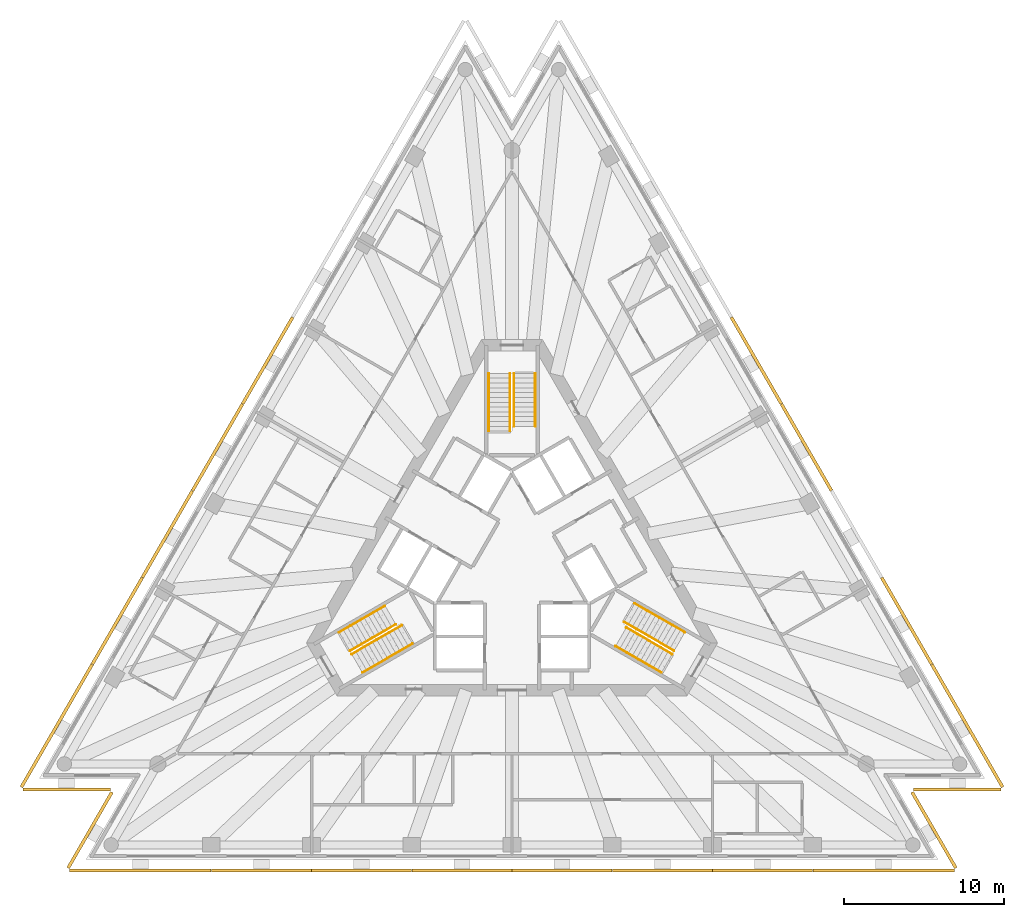
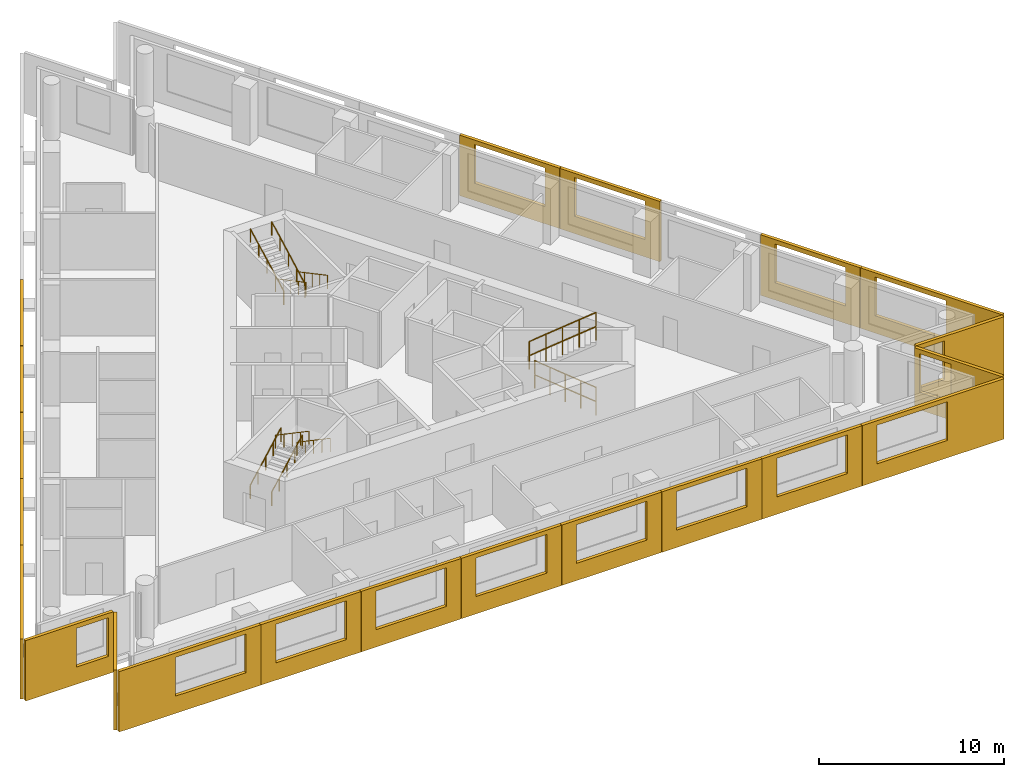
# One storey, part 9 of 10: 21 shading devices, 12 railings, 3 elements without a shape of their own.
"""IFC4 building model written with IfcOpenShell, lengths in metres."""

from ifc_helpers import new_model, si_unit, direction, frame, origin, origin_2d, place, context, subcontext, project, spatial, polyline, circle, outline, extrude, material, layer, layer_set, type_object, element, aggregate, save


model = new_model("IFC4")

# Units and contexts
model_context = context("Model", 3, precision=1e-05, world=origin(), true_north=direction((0.0, 1.0)))
body_context = subcontext(model_context, "Body", "Model", "MODEL_VIEW")
ifc_project = project(units=[si_unit("LENGTHUNIT", "METRE"), si_unit("AREAUNIT", "SQUARE_METRE"), si_unit("VOLUMEUNIT", "CUBIC_METRE"), si_unit("PLANEANGLEUNIT", "RADIAN"), si_unit("MASSUNIT", "GRAM", prefix="KILO")], contexts=[model_context])

# Site, building, storey
site_placement = place(None, origin())
site = spatial("IfcSite", under=ifc_project, at=site_placement, CompositionType="ELEMENT")
building_placement = place(site_placement, origin())
building = spatial("IfcBuilding", under=site, at=building_placement, Name="Triada Interchange Tower", CompositionType="ELEMENT")
storey_placement = place(building_placement, frame((0.0, 0.0, 195.300048828125)))
storey = spatial("IfcBuildingStorey", under=building, at=storey_placement, Name="L45", CompositionType="ELEMENT", Elevation=195.300048828125)

# Shading devices
ifc_material_1 = material(Name="Concrete C50/60 precast", Category="concrete")
ifc_layer_1 = layer(ifc_material_1, 0.02001953125, Name="Exposed aggregate face")
ifc_layer_2 = layer(ifc_material_1, 0.179931640625, Name="Precast concrete screen")
ifc_layer_set = layer_set([ifc_layer_1, ifc_layer_2], Name="Outer skin screen panel 3980")
shading_device_type = type_object("IfcShadingDeviceType", Name="Outer skin screen panel 3980", PredefinedType="SHUTTER", material=ifc_layer_set)
shading_device_1_placement = place(storey_placement, frame((-13.590087890625, 15.050048828125, -0.2900390625), z_axis=(0.0, 0.0, 1.0), x_axis=(-0.50008886669, -0.865974090497, 0.0)))
element("IfcShadingDevice", 1, at=shading_device_1_placement, inside=storey, type_object=shading_device_type, Name="Outer skin screen panel L45 04", PredefinedType="SHUTTER", context=body_context, shape_type="SweptSolid", body=[
    extrude(outline(polyline([(0.0, 0.0), (6.228759765625, 0.0), (6.228759765625, 3.97998046875), (0.0, 3.97998046875), (0.0, 0.0)]), holes=[polyline([(0.913818359375, 1.139892578125), (0.913818359375, 3.68994140625), (5.313720703125, 3.68994140625), (5.313720703125, 1.139892578125), (0.913818359375, 1.139892578125)])]), frame((0.0, 0.0, 0.0), z_axis=(0.0, -1.0, 0.0), x_axis=(1.0, 0.0, 0.0)), (0.0, 0.0, 1.0), 0.199951171875),
])
shading_device_2_placement = place(storey_placement, frame((-16.715087890625, 9.638916015625, -0.2900390625), z_axis=(0.0, 0.0, 1.0), x_axis=(-0.499988254918, -0.866032184704, 0.0)))
element("IfcShadingDevice", 2, at=shading_device_2_placement, inside=storey, type_object=shading_device_type, Name="Outer skin screen panel L45 05", PredefinedType="SHUTTER", context=body_context, shape_type="SweptSolid", body=[
    extrude(outline(polyline([(0.0, 0.0), (6.228271484375, 0.0), (6.228271484375, 3.97998046875), (0.0, 3.97998046875), (0.0, 0.0)]), holes=[polyline([(0.91357421875, 1.139892578125), (0.91357421875, 3.68994140625), (5.313720703125, 3.68994140625), (5.313720703125, 1.139892578125), (0.91357421875, 1.139892578125)])]), frame((0.0, 0.0, 0.0), z_axis=(0.0, -1.0, 0.0), x_axis=(1.0, 0.0, 0.0)), (0.0, 0.0, 1.0), 0.199951171875),
])
shading_device_3_placement = place(storey_placement, frame((-19.839111328125, 4.22802734375, -0.2900390625), z_axis=(0.0, 0.0, 1.0), x_axis=(-0.499941881293, -0.866058956036, 0.0)))
element("IfcShadingDevice", 3, at=shading_device_3_placement, inside=storey, type_object=shading_device_type, Name="Outer skin screen panel L45 06", PredefinedType="SHUTTER", context=body_context, shape_type="SweptSolid", body=[
    extrude(outline(polyline([(0.0, 0.0), (6.228271484375, 0.0), (6.228271484375, 3.97998046875), (0.0, 3.97998046875), (0.0, 0.0)]), holes=[polyline([(0.914306640625, 1.139892578125), (0.914306640625, 3.68994140625), (5.314208984375, 3.68994140625), (5.314208984375, 1.139892578125), (0.914306640625, 1.139892578125)])]), frame((0.0, 0.0, 0.0), z_axis=(0.0, -1.0, 0.0), x_axis=(1.0, 0.0, 0.0)), (0.0, 0.0, 1.0), 0.199951171875),
])
shading_device_4_placement = place(storey_placement, frame((-22.962890625, -1.18310546875, -0.2900390625), z_axis=(0.0, 0.0, 1.0), x_axis=(-0.499988254918, -0.866032184704, 0.0)))
element("IfcShadingDevice", 4, at=shading_device_4_placement, inside=storey, type_object=shading_device_type, Name="Outer skin screen panel L45 07", PredefinedType="SHUTTER", context=body_context, shape_type="SweptSolid", body=[
    extrude(outline(polyline([(0.0, 0.0), (6.228271484375, 0.0), (6.228271484375, 3.97998046875), (0.0, 3.97998046875), (0.0, 0.0)]), holes=[polyline([(0.9140625, 1.139892578125), (0.9140625, 3.68994140625), (5.314208984375, 3.68994140625), (5.314208984375, 1.139892578125), (0.9140625, 1.139892578125)])]), frame((0.0, 0.0, 0.0), z_axis=(0.0, -1.0, 0.0), x_axis=(1.0, 0.0, 0.0)), (0.0, 0.0, 1.0), 0.199951171875),
])
shading_device_5_placement = place(storey_placement, frame((-26.0869140625, -6.593994140625, -0.2900390625), z_axis=(0.0, 0.0, 1.0), x_axis=(-0.499982637805, -0.86603542762, 0.0)))
element("IfcShadingDevice", 5, at=shading_device_5_placement, inside=storey, type_object=shading_device_type, Name="Outer skin screen panel L45 08", PredefinedType="SHUTTER", context=body_context, shape_type="SweptSolid", body=[
    extrude(outline(polyline([(0.0, 0.0), (8.826416015625, 0.0), (8.826416015625, 3.97998046875), (0.0, 3.97998046875), (0.0, 0.0)]), holes=[polyline([(0.913818359375, 1.139892578125), (0.913818359375, 3.68994140625), (5.31396484375, 3.68994140625), (5.31396484375, 1.139892578125), (0.913818359375, 1.139892578125)])]), frame((0.0, 0.0, 0.0), z_axis=(0.0, -1.0, 0.0), x_axis=(1.0, 0.0, 0.0)), (0.0, 0.0, 1.0), 0.199951171875),
])
shading_device_6_placement = place(storey_placement, frame((-30.4951171875, -14.2470703125, -0.2900390625), z_axis=(0.0, 0.0, 1.0), x_axis=(1.0, 0.0, 0.0)))
element("IfcShadingDevice", 6, at=shading_device_6_placement, inside=storey, type_object=shading_device_type, Name="Outer skin screen panel L45 09", PredefinedType="SHUTTER", context=body_context, shape_type="SweptSolid", body=[
    extrude(outline(polyline([(0.0, 0.0), (5.461181640625, 0.0), (5.461181640625, 3.97998046875), (0.0, 3.97998046875), (0.0, 0.0)]), holes=[polyline([(3.175048828125, 1.139892578125), (3.175048828125, 3.68994140625), (5.160888671875, 3.68994140625), (5.160888671875, 1.139892578125), (3.175048828125, 1.139892578125)])]), frame((0.0, 0.0, 0.0), z_axis=(0.0, -1.0, 0.0), x_axis=(1.0, 0.0, 0.0)), (0.0, 0.0, 1.0), 0.199951171875),
])
shading_device_7_placement = place(storey_placement, frame((-24.85498046875, -14.555908203125, -0.2900390625), z_axis=(0.0, 0.0, 1.0), x_axis=(-0.500013942463, -0.86601735395, 0.0)))
element("IfcShadingDevice", 7, at=shading_device_7_placement, inside=storey, type_object=shading_device_type, Name="Outer skin screen panel L45 10", PredefinedType="SHUTTER", context=body_context, shape_type="SweptSolid", body=[
    extrude(outline(polyline([(0.0, 0.0), (5.461669921875, 0.0), (5.461669921875, 3.97998046875), (0.0, 3.97998046875), (0.0, 0.0)]), holes=[polyline([(0.300048828125, 1.139892578125), (0.300048828125, 3.68994140625), (1.758056640625, 3.68994140625), (1.758056640625, 1.139892578125), (0.300048828125, 1.139892578125)])]), frame((0.0, 0.0, 0.0), z_axis=(0.0, -1.0, 0.0), x_axis=(1.0, 0.0, 0.0)), (0.0, 0.0, 1.0), 0.199951171875),
])
shading_device_8_placement = place(storey_placement, frame((-27.5810546875, -19.294921875, -0.2900390625), z_axis=(0.0, 0.0, 1.0), x_axis=(1.0, 0.0, 0.0)))
element("IfcShadingDevice", 8, at=shading_device_8_placement, inside=storey, type_object=shading_device_type, Name="Outer skin screen panel L45 11", PredefinedType="SHUTTER", context=body_context, shape_type="SweptSolid", body=[
    extrude(outline(polyline([(0.0, 0.0), (8.826171875, 0.0), (8.826171875, 3.97998046875), (0.0, 3.97998046875), (0.0, 0.0)]), holes=[polyline([(3.511962890625, 1.139892578125), (3.511962890625, 3.68994140625), (7.912109375, 3.68994140625), (7.912109375, 1.139892578125), (3.511962890625, 1.139892578125)])]), frame((0.0, 0.0, 0.0), z_axis=(0.0, -1.0, 0.0), x_axis=(1.0, 0.0, 0.0)), (0.0, 0.0, 1.0), 0.199951171875),
])
shading_device_9_placement = place(storey_placement, frame((-18.735107421875, -19.294921875, -0.2900390625), z_axis=(0.0, 0.0, 1.0), x_axis=(1.0, 0.0, 0.0)))
element("IfcShadingDevice", 9, at=shading_device_9_placement, inside=storey, type_object=shading_device_type, Name="Outer skin screen panel L45 12", PredefinedType="SHUTTER", context=body_context, shape_type="SweptSolid", body=[
    extrude(outline(polyline([(0.0, 0.0), (6.22900390625, 0.0), (6.22900390625, 3.97998046875), (0.0, 3.97998046875), (0.0, 0.0)]), holes=[polyline([(0.913818359375, 1.139892578125), (0.913818359375, 3.68994140625), (5.313720703125, 3.68994140625), (5.313720703125, 1.139892578125), (0.913818359375, 1.139892578125)])]), frame((0.0, 0.0, 0.0), z_axis=(0.0, -1.0, 0.0), x_axis=(1.0, 0.0, 0.0)), (0.0, 0.0, 1.0), 0.199951171875),
])
shading_device_10_placement = place(storey_placement, frame((-12.486083984375, -19.294921875, -0.2900390625), z_axis=(0.0, 0.0, 1.0), x_axis=(1.0, 0.0, 0.0)))
element("IfcShadingDevice", 10, at=shading_device_10_placement, inside=storey, type_object=shading_device_type, Name="Outer skin screen panel L45 13", PredefinedType="SHUTTER", context=body_context, shape_type="SweptSolid", body=[
    extrude(outline(polyline([(0.0, 0.0), (6.22802734375, 0.0), (6.22802734375, 3.97998046875), (0.0, 3.97998046875), (0.0, 0.0)]), holes=[polyline([(0.91455078125, 1.139892578125), (0.91455078125, 3.68994140625), (5.314453125, 3.68994140625), (5.314453125, 1.139892578125), (0.91455078125, 1.139892578125)])]), frame((0.0, 0.0, 0.0), z_axis=(0.0, -1.0, 0.0), x_axis=(1.0, 0.0, 0.0)), (0.0, 0.0, 1.0), 0.199951171875),
])
shading_device_11_placement = place(storey_placement, frame((-6.238037109375, -19.294921875, -0.2900390625), z_axis=(0.0, 0.0, 1.0), x_axis=(1.0, 0.0, 0.0)))
element("IfcShadingDevice", 11, at=shading_device_11_placement, inside=storey, type_object=shading_device_type, Name="Outer skin screen panel L45 14", PredefinedType="SHUTTER", context=body_context, shape_type="SweptSolid", body=[
    extrude(outline(polyline([(0.0, 0.0), (6.22802734375, 0.0), (6.22802734375, 3.97998046875), (0.0, 3.97998046875), (0.0, 0.0)]), holes=[polyline([(0.914306640625, 1.139892578125), (0.914306640625, 3.68994140625), (5.314208984375, 3.68994140625), (5.314208984375, 1.139892578125), (0.914306640625, 1.139892578125)])]), frame((0.0, 0.0, 0.0), z_axis=(0.0, -1.0, 0.0), x_axis=(1.0, 0.0, 0.0)), (0.0, 0.0, 1.0), 0.199951171875),
])
shading_device_12_placement = place(storey_placement, frame((0.010009765625, -19.294921875, -0.2900390625), z_axis=(0.0, 0.0, 1.0), x_axis=(1.0, 0.0, 0.0)))
element("IfcShadingDevice", 12, at=shading_device_12_placement, inside=storey, type_object=shading_device_type, Name="Outer skin screen panel L45 15", PredefinedType="SHUTTER", context=body_context, shape_type="SweptSolid", body=[
    extrude(outline(polyline([(0.0, 0.0), (6.22802734375, 0.0), (6.22802734375, 3.97998046875), (0.0, 3.97998046875), (0.0, 0.0)]), holes=[polyline([(0.9140625, 1.139892578125), (0.9140625, 3.68994140625), (5.31396484375, 3.68994140625), (5.31396484375, 1.139892578125), (0.9140625, 1.139892578125)])]), frame((0.0, 0.0, 0.0), z_axis=(0.0, -1.0, 0.0), x_axis=(1.0, 0.0, 0.0)), (0.0, 0.0, 1.0), 0.199951171875),
])
shading_device_13_placement = place(storey_placement, frame((6.258056640625, -19.294921875, -0.2900390625), z_axis=(0.0, 0.0, 1.0), x_axis=(1.0, 0.0, 0.0)))
element("IfcShadingDevice", 13, at=shading_device_13_placement, inside=storey, type_object=shading_device_type, Name="Outer skin screen panel L45 16", PredefinedType="SHUTTER", context=body_context, shape_type="SweptSolid", body=[
    extrude(outline(polyline([(0.0, 0.0), (6.22900390625, 0.0), (6.22900390625, 3.97998046875), (0.0, 3.97998046875), (0.0, 0.0)]), holes=[polyline([(0.913818359375, 1.139892578125), (0.913818359375, 3.68994140625), (5.313720703125, 3.68994140625), (5.313720703125, 1.139892578125), (0.913818359375, 1.139892578125)])]), frame((0.0, 0.0, 0.0), z_axis=(0.0, -1.0, 0.0), x_axis=(1.0, 0.0, 0.0)), (0.0, 0.0, 1.0), 0.199951171875),
])
shading_device_14_placement = place(storey_placement, frame((12.507080078125, -19.294921875, -0.2900390625), z_axis=(0.0, 0.0, 1.0), x_axis=(1.0, 0.0, 0.0)))
element("IfcShadingDevice", 14, at=shading_device_14_placement, inside=storey, type_object=shading_device_type, Name="Outer skin screen panel L45 17", PredefinedType="SHUTTER", context=body_context, shape_type="SweptSolid", body=[
    extrude(outline(polyline([(0.0, 0.0), (6.22802734375, 0.0), (6.22802734375, 3.97998046875), (0.0, 3.97998046875), (0.0, 0.0)]), holes=[polyline([(0.91455078125, 1.139892578125), (0.91455078125, 3.68994140625), (5.314453125, 3.68994140625), (5.314453125, 1.139892578125), (0.91455078125, 1.139892578125)])]), frame((0.0, 0.0, 0.0), z_axis=(0.0, -1.0, 0.0), x_axis=(1.0, 0.0, 0.0)), (0.0, 0.0, 1.0), 0.199951171875),
])
shading_device_15_placement = place(storey_placement, frame((18.7548828125, -19.294921875, -0.2900390625), z_axis=(0.0, 0.0, 1.0), x_axis=(1.0, 0.0, 0.0)))
element("IfcShadingDevice", 15, at=shading_device_15_placement, inside=storey, type_object=shading_device_type, Name="Outer skin screen panel L45 18", PredefinedType="SHUTTER", context=body_context, shape_type="SweptSolid", body=[
    extrude(outline(polyline([(0.0, 0.0), (8.826171875, 0.0), (8.826171875, 3.97998046875), (0.0, 3.97998046875), (0.0, 0.0)]), holes=[polyline([(0.914306640625, 1.139892578125), (0.914306640625, 3.68994140625), (5.314208984375, 3.68994140625), (5.314208984375, 1.139892578125), (0.914306640625, 1.139892578125)])]), frame((0.0, 0.0, 0.0), z_axis=(0.0, -1.0, 0.0), x_axis=(1.0, 0.0, 0.0)), (0.0, 0.0, 1.0), 0.199951171875),
])
shading_device_16_placement = place(storey_placement, frame((27.5859375, -19.285888671875, -0.2900390625), z_axis=(0.0, 0.0, 1.0), x_axis=(-0.500013942463, 0.86601735395, 0.0)))
element("IfcShadingDevice", 16, at=shading_device_16_placement, inside=storey, type_object=shading_device_type, Name="Outer skin screen panel L45 19", PredefinedType="SHUTTER", context=body_context, shape_type="SweptSolid", body=[
    extrude(outline(polyline([(0.0, 0.0), (5.461669921875, 0.0), (5.461669921875, 3.97998046875), (0.0, 3.97998046875), (0.0, 0.0)]), holes=[polyline([(3.17529296875, 1.139892578125), (3.17529296875, 3.68994140625), (5.162109375, 3.68994140625), (5.162109375, 1.139892578125), (3.17529296875, 1.139892578125)])]), frame((0.0, 0.0, 0.0), z_axis=(0.0, -1.0, 0.0), x_axis=(1.0, 0.0, 0.0)), (0.0, 0.0, 1.0), 0.199951171875),
])
shading_device_17_placement = place(storey_placement, frame((25.033935546875, -14.2470703125, -0.2900390625), z_axis=(0.0, 0.0, 1.0), x_axis=(1.0, 0.0, 0.0)))
element("IfcShadingDevice", 17, at=shading_device_17_placement, inside=storey, type_object=shading_device_type, Name="Outer skin screen panel L45 20", PredefinedType="SHUTTER", context=body_context, shape_type="SweptSolid", body=[
    extrude(outline(polyline([(0.0, 0.0), (5.461181640625, 0.0), (5.461181640625, 3.97998046875), (0.0, 3.97998046875), (0.0, 0.0)]), holes=[polyline([(0.300048828125, 1.139892578125), (0.300048828125, 3.68994140625), (1.758056640625, 3.68994140625), (1.758056640625, 1.139892578125), (0.300048828125, 1.139892578125)])]), frame((0.0, 0.0, 0.0), z_axis=(0.0, -1.0, 0.0), x_axis=(1.0, 0.0, 0.0)), (0.0, 0.0, 1.0), 0.199951171875),
])
shading_device_18_placement = place(storey_placement, frame((30.5, -14.238037109375, -0.2900390625), z_axis=(0.0, 0.0, 1.0), x_axis=(-0.499982637805, 0.86603542762, 0.0)))
element("IfcShadingDevice", 18, at=shading_device_18_placement, inside=storey, type_object=shading_device_type, Name="Outer skin screen panel L45 21", PredefinedType="SHUTTER", context=body_context, shape_type="SweptSolid", body=[
    extrude(outline(polyline([(0.0, 0.0), (8.826416015625, 0.0), (8.826416015625, 3.97998046875), (0.0, 3.97998046875), (0.0, 0.0)]), holes=[polyline([(3.51220703125, 1.139892578125), (3.51220703125, 3.68994140625), (7.912353515625, 3.68994140625), (7.912353515625, 1.139892578125), (3.51220703125, 1.139892578125)])]), frame((0.0, 0.0, 0.0), z_axis=(0.0, -1.0, 0.0), x_axis=(1.0, 0.0, 0.0)), (0.0, 0.0, 1.0), 0.199951171875),
])
shading_device_19_placement = place(storey_placement, frame((26.076904296875, -6.576904296875, -0.2900390625), z_axis=(0.0, 0.0, 1.0), x_axis=(-0.499988254918, 0.866032184704, 0.0)))
element("IfcShadingDevice", 19, at=shading_device_19_placement, inside=storey, type_object=shading_device_type, Name="Outer skin screen panel L45 22", PredefinedType="SHUTTER", context=body_context, shape_type="SweptSolid", body=[
    extrude(outline(polyline([(0.0, 0.0), (6.228271484375, 0.0), (6.228271484375, 3.97998046875), (0.0, 3.97998046875), (0.0, 0.0)]), holes=[polyline([(0.9140625, 1.139892578125), (0.9140625, 3.68994140625), (5.31396484375, 3.68994140625), (5.31396484375, 1.139892578125), (0.9140625, 1.139892578125)])]), frame((0.0, 0.0, 0.0), z_axis=(0.0, -1.0, 0.0), x_axis=(1.0, 0.0, 0.0)), (0.0, 0.0, 1.0), 0.199951171875),
])
shading_device_20_placement = place(storey_placement, frame((19.8291015625, 4.2451171875, -0.2900390625), z_axis=(0.0, 0.0, 1.0), x_axis=(-0.499988254918, 0.866032184704, 0.0)))
element("IfcShadingDevice", 20, at=shading_device_20_placement, inside=storey, type_object=shading_device_type, Name="Outer skin screen panel L45 24", PredefinedType="SHUTTER", context=body_context, shape_type="SweptSolid", body=[
    extrude(outline(polyline([(0.0, 0.0), (6.228271484375, 0.0), (6.228271484375, 3.97998046875), (0.0, 3.97998046875), (0.0, 0.0)]), holes=[polyline([(0.91455078125, 1.139892578125), (0.91455078125, 3.68994140625), (5.314453125, 3.68994140625), (5.314453125, 1.139892578125), (0.91455078125, 1.139892578125)])]), frame((0.0, 0.0, 0.0), z_axis=(0.0, -1.0, 0.0), x_axis=(1.0, 0.0, 0.0)), (0.0, 0.0, 1.0), 0.199951171875),
])
shading_device_21_placement = place(storey_placement, frame((16.705078125, 9.656005859375, -0.2900390625), z_axis=(0.0, 0.0, 1.0), x_axis=(-0.50008886669, 0.865974090497, 0.0)))
element("IfcShadingDevice", 21, at=shading_device_21_placement, inside=storey, type_object=shading_device_type, Name="Outer skin screen panel L45 25", PredefinedType="SHUTTER", context=body_context, shape_type="SweptSolid", body=[
    extrude(outline(polyline([(0.0, 0.0), (6.228759765625, 0.0), (6.228759765625, 3.97998046875), (0.0, 3.97998046875), (0.0, 0.0)]), holes=[polyline([(0.914306640625, 1.139892578125), (0.914306640625, 3.68994140625), (5.314208984375, 3.68994140625), (5.314208984375, 1.139892578125), (0.914306640625, 1.139892578125)])]), frame((0.0, 0.0, 0.0), z_axis=(0.0, -1.0, 0.0), x_axis=(1.0, 0.0, 0.0)), (0.0, 0.0, 1.0), 0.199951171875),
])

# Stair, railings
ifc_material_2 = material(Name="Concrete C35/45", Category="concrete")
stair_type = type_object("IfcStairType", Name="HALF TURN STAIR 1400", PredefinedType="HALF_TURN_STAIR", material=ifc_material_2)
stair_1_placement = place(storey_placement, origin())
stair_1 = element("IfcStair", 22, at=stair_1_placement, inside=storey, type_object=stair_type, Name="Exit stair S44-1", PredefinedType="HALF_TURN_STAIR")
ifc_material_3 = material(Name="Stainless steel 1.4301", Category="steel")
railing_type = type_object("IfcRailingType", Name="STAIR HANDRAIL 900", PredefinedType="HANDRAIL", material=ifc_material_3)
railing_1_placement = place(storey_placement, frame((1.449951171875, 11.60009765625, 0.159912109375)))
railing_1 = element("IfcRailing", 23, at=railing_1_placement, type_object=railing_type, Name="Handrail S44-1 1W", PredefinedType="HANDRAIL", context=body_context, shape_type="SweptSolid", body=[
    extrude(circle(Radius=0.02392578125, at=origin_2d()), frame((0.0, 0.0, 0.8759765625), z_axis=(0.0, -0.882354748157, 0.47058484719), x_axis=(1.0, 0.0, 0.0)), (0.0, 0.0, 1.0), 3.739990234375),
    extrude(circle(Radius=0.02099609375, at=origin_2d()), origin(), (0.0, 0.0, 1.0), 0.851806640625),
    extrude(circle(Radius=0.02099609375, at=origin_2d()), frame((0.0, -0.824951171875, 0.43994140625)), (0.0, 0.0, 1.0), 0.851806640625),
    extrude(circle(Radius=0.02099609375, at=origin_2d()), frame((0.0, -1.64990234375, 0.8798828125)), (0.0, 0.0, 1.0), 0.851806640625),
    extrude(circle(Radius=0.02099609375, at=origin_2d()), frame((0.0, -2.47509765625, 1.320068359375)), (0.0, 0.0, 1.0), 0.851806640625),
    extrude(circle(Radius=0.02099609375, at=origin_2d()), frame((0.0, -3.300048828125, 1.760009765625)), (0.0, 0.0, 1.0), 0.851806640625),
])
railing_2_placement = place(storey_placement, frame((0.1201171875, 11.60009765625, 0.159912109375)))
railing_2 = element("IfcRailing", 24, at=railing_2_placement, type_object=railing_type, Name="Handrail S44-1 1C", PredefinedType="HANDRAIL", context=body_context, shape_type="SweptSolid", body=[
    extrude(circle(Radius=0.02392578125, at=origin_2d()), frame((0.0, 0.0, 0.8759765625), z_axis=(0.0, -0.882354748157, 0.47058484719), x_axis=(1.0, 0.0, 0.0)), (0.0, 0.0, 1.0), 3.739990234375),
    extrude(circle(Radius=0.02099609375, at=origin_2d()), origin(), (0.0, 0.0, 1.0), 0.851806640625),
    extrude(circle(Radius=0.02099609375, at=origin_2d()), frame((0.0, -0.824951171875, 0.43994140625)), (0.0, 0.0, 1.0), 0.851806640625),
    extrude(circle(Radius=0.02099609375, at=origin_2d()), frame((0.0, -1.64990234375, 0.8798828125)), (0.0, 0.0, 1.0), 0.851806640625),
    extrude(circle(Radius=0.02099609375, at=origin_2d()), frame((0.0, -2.47509765625, 1.320068359375)), (0.0, 0.0, 1.0), 0.851806640625),
    extrude(circle(Radius=0.02099609375, at=origin_2d()), frame((0.0, -3.300048828125, 1.760009765625)), (0.0, 0.0, 1.0), 0.851806640625),
])
railing_3_placement = place(storey_placement, frame((-1.449951171875, 8.0, 2.079833984375)))
railing_3 = element("IfcRailing", 25, at=railing_3_placement, type_object=railing_type, Name="Handrail S44-1 2W", PredefinedType="HANDRAIL", context=body_context, shape_type="SweptSolid", body=[
    extrude(circle(Radius=0.02392578125, at=origin_2d()), frame((0.0, 0.0, 0.8759765625), z_axis=(0.0, 0.882341346394, 0.470609974867), x_axis=(-1.0, 0.0, 0.0)), (0.0, 0.0, 1.0), 4.080078125),
    extrude(circle(Radius=0.02099609375, at=origin_2d()), origin(), (0.0, 0.0, 1.0), 0.851806640625),
    extrude(circle(Radius=0.02099609375, at=origin_2d()), frame((0.0, 0.89990234375, 0.47998046875)), (0.0, 0.0, 1.0), 0.851806640625),
    extrude(circle(Radius=0.02099609375, at=origin_2d()), frame((0.0, 1.800048828125, 0.9599609375)), (0.0, 0.0, 1.0), 0.851806640625),
    extrude(circle(Radius=0.02099609375, at=origin_2d()), frame((0.0, 2.7001953125, 1.440185546875)), (0.0, 0.0, 1.0), 0.851806640625),
    extrude(circle(Radius=0.02099609375, at=origin_2d()), frame((0.0, 3.60009765625, 1.920166015625)), (0.0, 0.0, 1.0), 0.851806640625),
])
railing_4_placement = place(storey_placement, frame((-0.1201171875, 8.0, 2.079833984375)))
railing_4 = element("IfcRailing", 26, at=railing_4_placement, type_object=railing_type, Name="Handrail S44-1 2C", PredefinedType="HANDRAIL", context=body_context, shape_type="SweptSolid", body=[
    extrude(circle(Radius=0.02392578125, at=origin_2d()), frame((0.0, 0.0, 0.8759765625), z_axis=(0.0, 0.882341346394, 0.470609974867), x_axis=(-1.0, 0.0, 0.0)), (0.0, 0.0, 1.0), 4.080078125),
    extrude(circle(Radius=0.02099609375, at=origin_2d()), origin(), (0.0, 0.0, 1.0), 0.851806640625),
    extrude(circle(Radius=0.02099609375, at=origin_2d()), frame((0.0, 0.89990234375, 0.47998046875)), (0.0, 0.0, 1.0), 0.851806640625),
    extrude(circle(Radius=0.02099609375, at=origin_2d()), frame((0.0, 1.800048828125, 0.9599609375)), (0.0, 0.0, 1.0), 0.851806640625),
    extrude(circle(Radius=0.02099609375, at=origin_2d()), frame((0.0, 2.7001953125, 1.440185546875)), (0.0, 0.0, 1.0), 0.851806640625),
    extrude(circle(Radius=0.02099609375, at=origin_2d()), frame((0.0, 3.60009765625, 1.920166015625)), (0.0, 0.0, 1.0), 0.851806640625),
])
aggregate(stair_1, [railing_1, railing_2, railing_3, railing_4])

stair_2_placement = place(storey_placement, origin())
stair_2 = element("IfcStair", 27, at=stair_2_placement, inside=storey, type_object=stair_type, Name="Exit stair S44-2", PredefinedType="HALF_TURN_STAIR")
railing_5_placement = place(storey_placement, frame((-10.77099609375, -4.5439453125, 0.159912109375)))
railing_5 = element("IfcRailing", 28, at=railing_5_placement, type_object=railing_type, Name="Handrail S44-2 1W", PredefinedType="HANDRAIL", context=body_context, shape_type="SweptSolid", body=[
    extrude(circle(Radius=0.02392578125, at=origin_2d()), frame((0.0, 0.0, 0.8759765625), z_axis=(0.764150854273, 0.441152526326, 0.470593158077), x_axis=(-0.499974350878, 0.866040211805, 0.0)), (0.0, 0.0, 1.0), 3.739990234375),
    extrude(circle(Radius=0.02099609375, at=origin_2d()), origin(), (0.0, 0.0, 1.0), 0.851806640625),
    extrude(circle(Radius=0.02099609375, at=origin_2d()), frame((0.71435546875, 0.41259765625, 0.43994140625)), (0.0, 0.0, 1.0), 0.851806640625),
    extrude(circle(Radius=0.02099609375, at=origin_2d()), frame((1.428955078125, 0.824951171875, 0.8798828125)), (0.0, 0.0, 1.0), 0.851806640625),
    extrude(circle(Radius=0.02099609375, at=origin_2d()), frame((2.1435546875, 1.2373046875, 1.320068359375)), (0.0, 0.0, 1.0), 0.851806640625),
    extrude(circle(Radius=0.02099609375, at=origin_2d()), frame((2.85791015625, 1.64990234375, 1.760009765625)), (0.0, 0.0, 1.0), 0.851806640625),
])
railing_6_placement = place(storey_placement, frame((-10.10595703125, -5.696044921875, 0.159912109375)))
railing_6 = element("IfcRailing", 29, at=railing_6_placement, type_object=railing_type, Name="Handrail S44-2 1C", PredefinedType="HANDRAIL", context=body_context, shape_type="SweptSolid", body=[
    extrude(circle(Radius=0.02392578125, at=origin_2d()), frame((0.0, 0.0, 0.8759765625), z_axis=(0.76412884773, 0.441205098395, 0.470579605611), x_axis=(-0.50002983664, 0.866008176907, 0.0)), (0.0, 0.0, 1.0), 3.739990234375),
    extrude(circle(Radius=0.02099609375, at=origin_2d()), origin(), (0.0, 0.0, 1.0), 0.851806640625),
    extrude(circle(Radius=0.02099609375, at=origin_2d()), frame((0.71435546875, 0.41259765625, 0.43994140625)), (0.0, 0.0, 1.0), 0.851806640625),
    extrude(circle(Radius=0.02099609375, at=origin_2d()), frame((1.428955078125, 0.8251953125, 0.8798828125)), (0.0, 0.0, 1.0), 0.851806640625),
    extrude(circle(Radius=0.02099609375, at=origin_2d()), frame((2.1435546875, 1.237548828125, 1.320068359375)), (0.0, 0.0, 1.0), 0.851806640625),
    extrude(circle(Radius=0.02099609375, at=origin_2d()), frame((2.85791015625, 1.650146484375, 1.760009765625)), (0.0, 0.0, 1.0), 0.851806640625),
])
railing_7_placement = place(storey_placement, frame((-6.202880859375, -5.256103515625, 2.079833984375)))
railing_7 = element("IfcRailing", 30, at=railing_7_placement, type_object=railing_type, Name="Handrail S44-2 2W", PredefinedType="HANDRAIL", context=body_context, shape_type="SweptSolid", body=[
    extrude(circle(Radius=0.02392578125, at=origin_2d()), frame((0.0, 0.0, 0.8759765625), z_axis=(-0.764189758314, -0.441090424232, 0.470588196769), x_axis=(0.499902469156, -0.866081705922, 0.0)), (0.0, 0.0, 1.0), 4.080322265625),
    extrude(circle(Radius=0.02099609375, at=origin_2d()), origin(), (0.0, 0.0, 1.0), 0.851806640625),
    extrude(circle(Radius=0.02099609375, at=origin_2d()), frame((-0.779541015625, -0.449951171875, 0.47998046875)), (0.0, 0.0, 1.0), 0.851806640625),
    extrude(circle(Radius=0.02099609375, at=origin_2d()), frame((-1.55908203125, -0.89990234375, 0.9599609375)), (0.0, 0.0, 1.0), 0.851806640625),
    extrude(circle(Radius=0.02099609375, at=origin_2d()), frame((-2.338623046875, -1.349853515625, 1.440185546875)), (0.0, 0.0, 1.0), 0.851806640625),
    extrude(circle(Radius=0.02099609375, at=origin_2d()), frame((-3.1181640625, -1.7998046875, 1.920166015625)), (0.0, 0.0, 1.0), 0.851806640625),
])
railing_8_placement = place(storey_placement, frame((-6.867919921875, -4.10400390625, 2.079833984375)))
railing_8 = element("IfcRailing", 31, at=railing_8_placement, type_object=railing_type, Name="Handrail S44-2 2C", PredefinedType="HANDRAIL", context=body_context, shape_type="SweptSolid", body=[
    extrude(circle(Radius=0.02392578125, at=origin_2d()), frame((0.0, 0.0, 0.8759765625), z_axis=(-0.764169589359, -0.441138614339, 0.470575776723), x_axis=(0.49995333141, -0.866052346231, 0.0)), (0.0, 0.0, 1.0), 4.08056640625),
    extrude(circle(Radius=0.02099609375, at=origin_2d()), origin(), (0.0, 0.0, 1.0), 0.851806640625),
    extrude(circle(Radius=0.02099609375, at=origin_2d()), frame((-0.779541015625, -0.449951171875, 0.47998046875)), (0.0, 0.0, 1.0), 0.851806640625),
    extrude(circle(Radius=0.02099609375, at=origin_2d()), frame((-1.55908203125, -0.89990234375, 0.9599609375)), (0.0, 0.0, 1.0), 0.851806640625),
    extrude(circle(Radius=0.02099609375, at=origin_2d()), frame((-2.338623046875, -1.35009765625, 1.440185546875)), (0.0, 0.0, 1.0), 0.851806640625),
    extrude(circle(Radius=0.02099609375, at=origin_2d()), frame((-3.1181640625, -1.800048828125, 1.920166015625)), (0.0, 0.0, 1.0), 0.851806640625),
])
aggregate(stair_2, [railing_5, railing_6, railing_7, railing_8])

stair_3_placement = place(storey_placement, origin())
stair_3 = element("IfcStair", 32, at=stair_3_placement, inside=storey, type_object=stair_type, Name="Exit stair S44-3", PredefinedType="HALF_TURN_STAIR")
railing_9_placement = place(storey_placement, frame((9.321044921875, -7.055908203125, 0.159912109375)))
railing_9 = element("IfcRailing", 33, at=railing_9_placement, type_object=railing_type, Name="Handrail S44-3 1W", PredefinedType="HANDRAIL", context=body_context, shape_type="SweptSolid", body=[
    extrude(circle(Radius=0.02392578125, at=origin_2d()), frame((0.0, 0.0, 0.8759765625), z_axis=(-0.764178012919, 0.441130521168, 0.470569684388), x_axis=(-0.499942318283, -0.866058703778, 0.0)), (0.0, 0.0, 1.0), 3.740234375),
    extrude(circle(Radius=0.02099609375, at=origin_2d()), origin(), (0.0, 0.0, 1.0), 0.851806640625),
    extrude(circle(Radius=0.02099609375, at=origin_2d()), frame((-0.714599609375, 0.41259765625, 0.43994140625)), (0.0, 0.0, 1.0), 0.851806640625),
    extrude(circle(Radius=0.02099609375, at=origin_2d()), frame((-1.42919921875, 0.824951171875, 0.8798828125)), (0.0, 0.0, 1.0), 0.851806640625),
    extrude(circle(Radius=0.02099609375, at=origin_2d()), frame((-2.1435546875, 1.2373046875, 1.320068359375)), (0.0, 0.0, 1.0), 0.851806640625),
    extrude(circle(Radius=0.02099609375, at=origin_2d()), frame((-2.858154296875, 1.64990234375, 1.760009765625)), (0.0, 0.0, 1.0), 0.851806640625),
])
railing_10_placement = place(storey_placement, frame((9.986083984375, -5.904052734375, 0.159912109375)))
railing_10 = element("IfcRailing", 34, at=railing_10_placement, type_object=railing_type, Name="Handrail S44-3 1C", PredefinedType="HANDRAIL", context=body_context, shape_type="SweptSolid", body=[
    extrude(circle(Radius=0.02392578125, at=origin_2d()), frame((0.0, 0.0, 0.8759765625), z_axis=(-0.764156007789, 0.441183091881, 0.47055613395), x_axis=(-0.49999780286, -0.8660266723, 0.0)), (0.0, 0.0, 1.0), 3.740234375),
    extrude(circle(Radius=0.02099609375, at=origin_2d()), origin(), (0.0, 0.0, 1.0), 0.851806640625),
    extrude(circle(Radius=0.02099609375, at=origin_2d()), frame((-0.714599609375, 0.41259765625, 0.43994140625)), (0.0, 0.0, 1.0), 0.851806640625),
    extrude(circle(Radius=0.02099609375, at=origin_2d()), frame((-1.42919921875, 0.8251953125, 0.8798828125)), (0.0, 0.0, 1.0), 0.851806640625),
    extrude(circle(Radius=0.02099609375, at=origin_2d()), frame((-2.1435546875, 1.237548828125, 1.320068359375)), (0.0, 0.0, 1.0), 0.851806640625),
    extrude(circle(Radius=0.02099609375, at=origin_2d()), frame((-2.858154296875, 1.650146484375, 1.760009765625)), (0.0, 0.0, 1.0), 0.851806640625),
])
railing_11_placement = place(storey_placement, frame((7.653076171875, -2.743896484375, 2.079833984375)))
railing_11 = element("IfcRailing", 35, at=railing_11_placement, type_object=railing_type, Name="Handrail S44-3 2W", PredefinedType="HANDRAIL", context=body_context, shape_type="SweptSolid", body=[
    extrude(circle(Radius=0.02392578125, at=origin_2d()), frame((0.0, 0.0, 0.8759765625), z_axis=(0.76414469501, -0.441158784458, 0.470597292793), x_axis=(0.499982693035, 0.866035395735, 0.0)), (0.0, 0.0, 1.0), 4.080322265625),
    extrude(circle(Radius=0.02099609375, at=origin_2d()), origin(), (0.0, 0.0, 1.0), 0.851806640625),
    extrude(circle(Radius=0.02099609375, at=origin_2d()), frame((0.779541015625, -0.449951171875, 0.47998046875)), (0.0, 0.0, 1.0), 0.851806640625),
    extrude(circle(Radius=0.02099609375, at=origin_2d()), frame((1.55908203125, -0.89990234375, 0.9599609375)), (0.0, 0.0, 1.0), 0.851806640625),
    extrude(circle(Radius=0.02099609375, at=origin_2d()), frame((2.33837890625, -1.35009765625, 1.440185546875)), (0.0, 0.0, 1.0), 0.851806640625),
    extrude(circle(Radius=0.02099609375, at=origin_2d()), frame((3.117919921875, -1.800048828125, 1.920166015625)), (0.0, 0.0, 1.0), 0.851806640625),
])
railing_12_placement = place(storey_placement, frame((6.988037109375, -3.89599609375, 2.079833984375)))
railing_12 = element("IfcRailing", 36, at=railing_12_placement, type_object=railing_type, Name="Handrail S44-3 2C", PredefinedType="HANDRAIL", context=body_context, shape_type="SweptSolid", body=[
    extrude(circle(Radius=0.02392578125, at=origin_2d()), frame((0.0, 0.0, 0.8759765625), z_axis=(0.76414469501, -0.441158784458, 0.470597292793), x_axis=(0.499982693035, 0.866035395735, 0.0)), (0.0, 0.0, 1.0), 4.080322265625),
    extrude(circle(Radius=0.02099609375, at=origin_2d()), origin(), (0.0, 0.0, 1.0), 0.851806640625),
    extrude(circle(Radius=0.02099609375, at=origin_2d()), frame((0.779541015625, -0.449951171875, 0.47998046875)), (0.0, 0.0, 1.0), 0.851806640625),
    extrude(circle(Radius=0.02099609375, at=origin_2d()), frame((1.55908203125, -0.89990234375, 0.9599609375)), (0.0, 0.0, 1.0), 0.851806640625),
    extrude(circle(Radius=0.02099609375, at=origin_2d()), frame((2.33837890625, -1.35009765625, 1.440185546875)), (0.0, 0.0, 1.0), 0.851806640625),
    extrude(circle(Radius=0.02099609375, at=origin_2d()), frame((3.117919921875, -1.800048828125, 1.920166015625)), (0.0, 0.0, 1.0), 0.851806640625),
])
aggregate(stair_3, [railing_9, railing_10, railing_11, railing_12])

save(model, "model.ifc")
